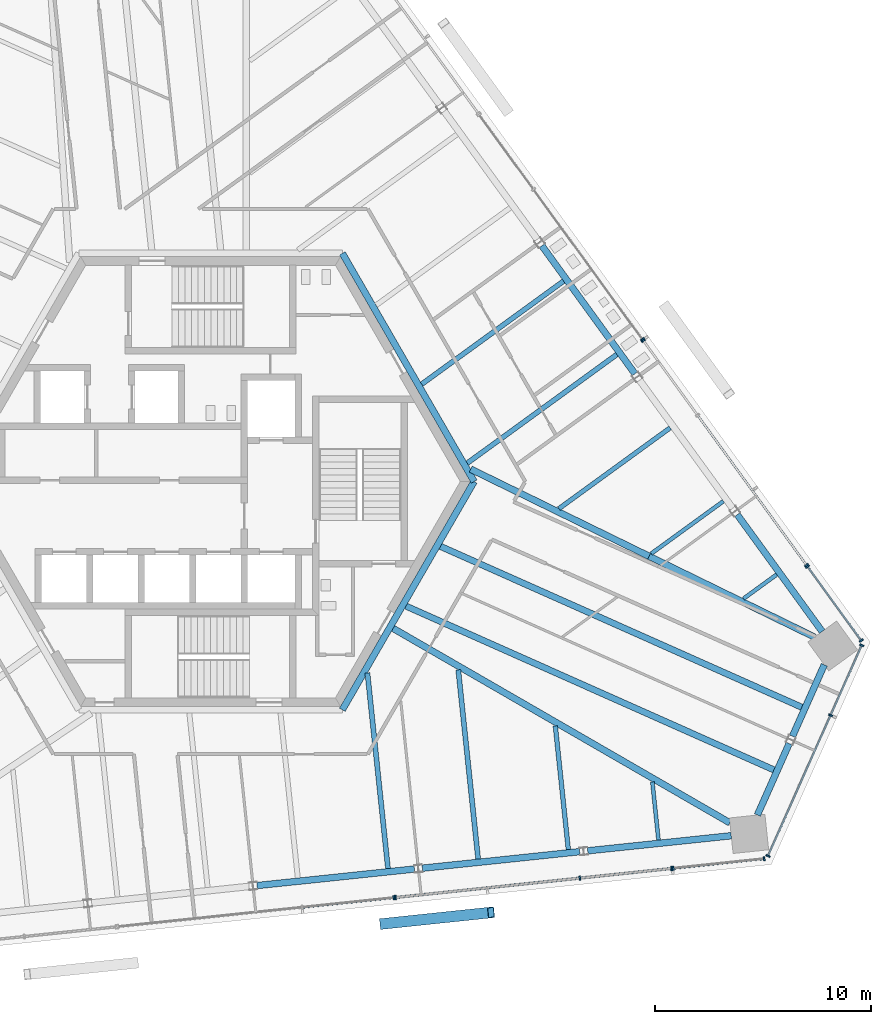
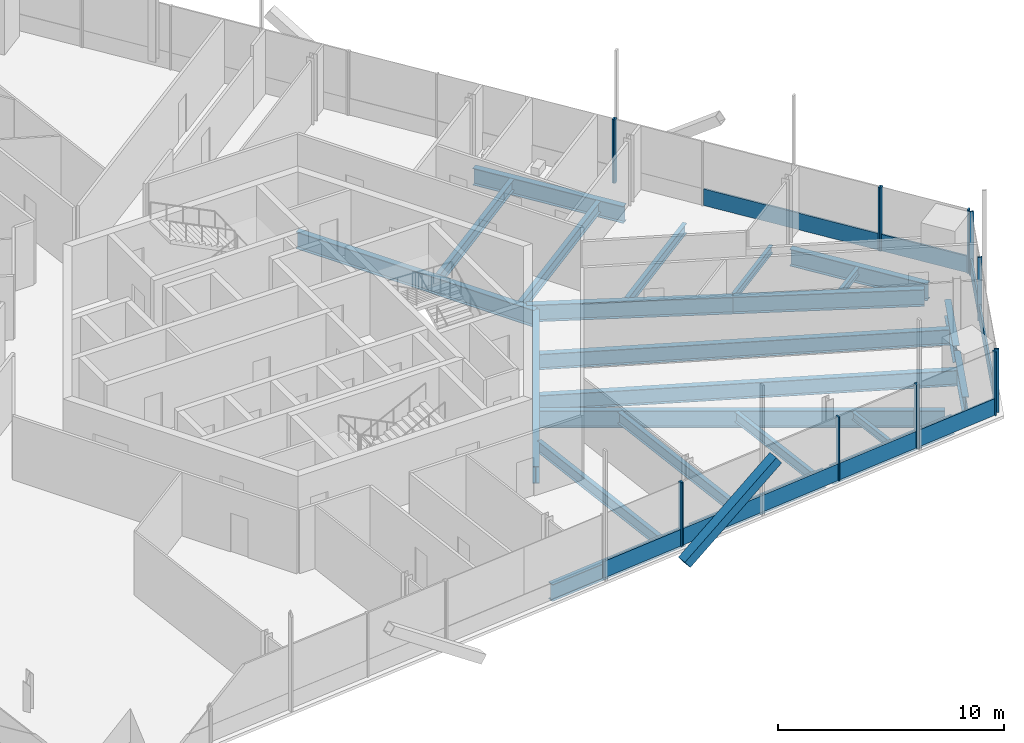
# One storey, part 6 of 21: 23 beams, 23 members, 7 elements without a shape of their own.
"""IFC4 building model written with IfcOpenShell, lengths in metres."""

from ifc_helpers import new_model, si_unit, direction, frame, origin, origin_2d, place, context, subcontext, project, spatial, rectangle, hollow_rectangle, i_section, extrude, source, transform, mapped, material, material_profile, profile_set, type_object, element, aggregate, save


model = new_model("IFC4")

# Units and contexts
model_context = context("Model", 3, precision=1e-05, world=origin(), true_north=direction((0.0, 1.0)))
body_context = subcontext(model_context, "Body", "Model", "MODEL_VIEW")
ifc_project = project(units=[si_unit("LENGTHUNIT", "METRE"), si_unit("AREAUNIT", "SQUARE_METRE"), si_unit("VOLUMEUNIT", "CUBIC_METRE"), si_unit("PLANEANGLEUNIT", "RADIAN"), si_unit("MASSUNIT", "GRAM", prefix="KILO")], contexts=[model_context])

# Site, building, storey
site_placement = place(None, origin())
site = spatial("IfcSite", under=ifc_project, at=site_placement, CompositionType="ELEMENT")
building_placement = place(site_placement, origin())
building = spatial("IfcBuilding", under=site, at=building_placement, Name="Triune Harvest Tower", CompositionType="ELEMENT")
storey_placement = place(building_placement, frame((0.0, 0.0, 241.300048828125)))
storey = spatial("IfcBuildingStorey", under=building, at=storey_placement, Name="L63", CompositionType="ELEMENT", Elevation=241.300048828125)

# Beams
ifc_material_1 = material(Name="Steel ASTM A992 Gr 50", Category="steel")
ifc_material_profile_1 = material_profile(ifc_material_1, i_section(OverallWidth=0.3046875, OverallDepth=0.914306640625, WebThickness=0.0166015625, FlangeThickness=0.02587890625, at=origin_2d()), Name="W36x160")
ifc_profile_set_1 = profile_set([ifc_material_profile_1], Name="Steel ASTM A992 Gr 50")
beam_type_1 = type_object("IfcBeamType", Name="CG-1 Core ring girder W36x160", PredefinedType="BEAM", material=ifc_profile_set_1)
shared_shape_1 = source(origin(), body_context, "Body", "SweptSolid", [
    extrude(i_section(OverallWidth=0.3046875, OverallDepth=0.914306640625, WebThickness=0.0166015625, FlangeThickness=0.02587890625, at=origin_2d()), origin(), (0.0, 0.0, 1.0), 12.176025390625),
])
for number, where, z_axis, x_axis, name in (
    (1, (12.176025390625, 0.0, -0.6171875), (-0.5000099932, 0.866019634131, 0.0), (-0.866019634131, -0.5000099932, 0.0), "beam/L63/CG1"),
    (2, (6.087890625, -10.544677734375, -0.6171875), (0.5000099932, 0.866019634131, 0.0), (-0.866019634131, 0.5000099932, 0.0), "beam/L63/CG6"),
):
    element("IfcBeam", number, at=place(storey_placement, frame(where, z_axis=z_axis, x_axis=x_axis)), inside=storey, type_object=beam_type_1, Name=name, PredefinedType="BEAM", context=body_context, shape_type="MappedRepresentation", body=[
        mapped(shared_shape_1, transform((0.0, 0.0, 0.0), scale=1.0)),
    ])
ifc_material_2 = material(Name="Steel ASTM A992 Gr 50", Category="steel")
ifc_material_profile_2 = material_profile(ifc_material_2, i_section(OverallWidth=0.3046875, OverallDepth=0.914306640625, WebThickness=0.0166015625, FlangeThickness=0.02587890625, at=origin_2d()), Name="W36x160")
ifc_profile_set_2 = profile_set([ifc_material_profile_2], Name="Steel ASTM A992 Gr 50")
beam_type_2 = type_object("IfcBeamType", Name="HG-3 Hip girder W36x160", PredefinedType="BEAM", material=ifc_profile_set_2)
shared_shape_2 = source(origin(), body_context, "Body", "SweptSolid", [
    extrude(i_section(OverallWidth=0.3046875, OverallDepth=0.914306640625, WebThickness=0.0166015625, FlangeThickness=0.02587890625, at=origin_2d()), origin(), (0.0, 0.0, 1.0), 9.168212890625),
])
beam_1_placement = place(storey_placement, frame((20.2587890625, -3.451171875, -0.6171875), z_axis=(-0.898521846145, 0.438928800605, 0.0), x_axis=(-0.438928800605, -0.898521846145, 0.0)))
element("IfcBeam", 3, at=beam_1_placement, inside=storey, type_object=beam_type_2, Name="beam/L63/HG2", PredefinedType="BEAM", context=body_context, shape_type="MappedRepresentation", body=[
    mapped(shared_shape_2, transform((0.0, 0.0, 0.0), scale=1.0)),
])
ifc_material_3 = material(Name="Steel ASTM A992 Gr 50", Category="steel")
ifc_material_profile_3 = material_profile(ifc_material_3, i_section(OverallWidth=0.3046875, OverallDepth=0.914306640625, WebThickness=0.0166015625, FlangeThickness=0.02587890625, at=origin_2d()), Name="W36x160")
ifc_profile_set_3 = profile_set([ifc_material_profile_3], Name="Steel ASTM A992 Gr 50")
beam_type_3 = type_object("IfcBeamType", Name="SB-1 Spandrel beam W36x160", PredefinedType="SPANDREL", material=ifc_profile_set_3)
shared_shape_3 = source(origin(), body_context, "Body", "SweptSolid", [
    extrude(i_section(OverallWidth=0.3046875, OverallDepth=0.914306640625, WebThickness=0.0166015625, FlangeThickness=0.02587890625, at=origin_2d()), origin(), (0.0, 0.0, 1.0), 6.67041015625),
])
for number, where, z_axis, x_axis, name in (
    (4, (28.256591796875, -6.927734375, -0.6171875), (-0.587797324645, 0.80900822316, 0.0), (-0.80900822316, -0.587797324645, 0.0), "beam/L63/SB1"),
    (5, (17.421630859375, -17.060302734375, -0.6171875), (0.994521485501, 0.104532362822, 0.0), (-0.104532362822, 0.994521485501, 0.0), "beam/L63/SB22"),
):
    element("IfcBeam", number, at=place(storey_placement, frame(where, z_axis=z_axis, x_axis=x_axis)), inside=storey, type_object=beam_type_3, Name=name, PredefinedType="SPANDREL", context=body_context, shape_type="MappedRepresentation", body=[
        mapped(shared_shape_3, transform((0.0, 0.0, 0.0), scale=1.0)),
    ])
shared_shape_4 = source(origin(), body_context, "Body", "SweptSolid", [
    extrude(i_section(OverallWidth=0.3046875, OverallDepth=0.914306640625, WebThickness=0.0166015625, FlangeThickness=0.02587890625, at=origin_2d()), origin(), (0.0, 0.0, 1.0), 7.31103515625),
])
for number, where, z_axis, x_axis, name in (
    (6, (19.60546875, 4.9794921875, -0.6171875), (-0.587786436325, 0.809016134124, 0.0), (-0.809016134124, -0.587786436325, 0.0), "beam/L63/SB3"),
    (7, (9.784423828125, -17.863037109375, -0.6171875), (0.994522639393, 0.104521384101, 0.0), (-0.104521384101, 0.994522639393, 0.0), "beam/L63/SB21"),
):
    element("IfcBeam", number, at=place(storey_placement, frame(where, z_axis=z_axis, x_axis=x_axis)), inside=storey, type_object=beam_type_3, Name=name, PredefinedType="SPANDREL", context=body_context, shape_type="MappedRepresentation", body=[
        mapped(shared_shape_4, transform((0.0, 0.0, 0.0), scale=1.0)),
    ])
shared_shape_5 = source(origin(), body_context, "Body", "SweptSolid", [
    extrude(i_section(OverallWidth=0.3046875, OverallDepth=0.914306640625, WebThickness=0.0166015625, FlangeThickness=0.02587890625, at=origin_2d()), origin(), (0.0, 0.0, 1.0), 3.614990234375),
])
beam_2_placement = place(storey_placement, frame((26.883544921875, -11.767822265625, -0.6171875), z_axis=(0.406758712736, 0.913535631277, 0.0), x_axis=(-0.913535631277, 0.406758712736, 0.0)))
element("IfcBeam", 8, at=beam_2_placement, inside=storey, type_object=beam_type_3, Name="beam/L63/SB24", PredefinedType="SPANDREL", context=body_context, shape_type="MappedRepresentation", body=[
    mapped(shared_shape_5, transform((0.0, 0.0, 0.0), scale=1.0)),
])
shared_shape_6 = source(origin(), body_context, "Body", "SweptSolid", [
    extrude(i_section(OverallWidth=0.3046875, OverallDepth=0.914306640625, WebThickness=0.0166015625, FlangeThickness=0.02587890625, at=origin_2d()), origin(), (0.0, 0.0, 1.0), 7.311279296875),
])
beam_3_placement = place(storey_placement, frame((2.14697265625, -18.665771484375, -0.6171875), z_axis=(0.994523004189, 0.104517913008, 0.0), x_axis=(-0.104517913008, 0.994523004189, 0.0)))
element("IfcBeam", 9, at=beam_3_placement, inside=storey, type_object=beam_type_3, Name="beam/L63/SB20", PredefinedType="SPANDREL", context=body_context, shape_type="MappedRepresentation", body=[
    mapped(shared_shape_6, transform((0.0, 0.0, 0.0), scale=1.0)),
])
shared_shape_7 = source(origin(), body_context, "Body", "SweptSolid", [
    extrude(i_section(OverallWidth=0.3046875, OverallDepth=0.914306640625, WebThickness=0.0166015625, FlangeThickness=0.02587890625, at=origin_2d()), origin(), (0.0, 0.0, 1.0), 3.61474609375),
])
beam_4_placement = place(storey_placement, frame((25.263427734375, -15.406494140625, -0.6171875), z_axis=(0.406783809082, 0.913524456525, 0.0), x_axis=(-0.913524456525, 0.406783809082, 0.0)))
element("IfcBeam", 10, at=beam_4_placement, inside=storey, type_object=beam_type_3, Name="beam/L63/SB23", PredefinedType="SPANDREL", context=body_context, shape_type="MappedRepresentation", body=[
    mapped(shared_shape_7, transform((0.0, 0.0, 0.0), scale=1.0)),
])
shared_shape_8 = source(origin(), body_context, "Body", "SweptSolid", [
    extrude(i_section(OverallWidth=0.3046875, OverallDepth=0.914306640625, WebThickness=0.0166015625, FlangeThickness=0.02587890625, at=origin_2d()), origin(), (0.0, 0.0, 1.0), 8.506591796875),
])
beam_5_placement = place(storey_placement, frame((27.902099609375, -7.18505859375, -0.6171875), z_axis=(-0.898516187924, 0.43894038324, 0.0), x_axis=(-0.43894038324, -0.898516187924, 0.0)))
element("IfcBeam", 11, at=beam_5_placement, inside=storey, type_object=beam_type_2, Name="beam/L63/HG1", PredefinedType="BEAM", context=body_context, shape_type="MappedRepresentation", body=[
    mapped(shared_shape_8, transform((0.0, 0.0, 0.0), scale=1.0)),
])
shared_shape_9 = source(origin(), body_context, "Body", "SweptSolid", [
    extrude(i_section(OverallWidth=0.3046875, OverallDepth=0.914306640625, WebThickness=0.0166015625, FlangeThickness=0.02587890625, at=origin_2d()), origin(), (0.0, 0.0, 1.0), 17.96484375),
])
beam_6_placement = place(storey_placement, frame((23.992919921875, -15.766845703125, -0.6171875), z_axis=(-0.866026717539, 0.499997724503, 0.0), x_axis=(-0.499997724503, -0.866026717539, 0.0)))
element("IfcBeam", 12, at=beam_6_placement, inside=storey, type_object=beam_type_2, Name="beam/L63/HG10", PredefinedType="BEAM", context=body_context, shape_type="MappedRepresentation", body=[
    mapped(shared_shape_9, transform((0.0, 0.0, 0.0), scale=1.0)),
])
ifc_material_4 = material(Name="Steel ASTM A992 Gr 50", Category="steel")
ifc_material_profile_4 = material_profile(ifc_material_4, i_section(OverallWidth=0.180908203125, OverallDepth=0.41650390625, WebThickness=0.010986328125, FlangeThickness=0.01806640625, at=origin_2d()), Name="W16x57")
ifc_profile_set_4 = profile_set([ifc_material_profile_4], Name="Steel ASTM A992 Gr 50")
beam_type_4 = type_object("IfcBeamType", Name="JT-1 Floor joist W16x57", PredefinedType="JOIST", material=ifc_profile_set_4)
shared_shape_10 = source(origin(), body_context, "Body", "SweptSolid", [
    extrude(i_section(OverallWidth=0.180908203125, OverallDepth=0.41650390625, WebThickness=0.010986328125, FlangeThickness=0.01806640625, at=origin_2d()), origin(), (0.0, 0.0, 1.0), 1.89892578125),
])
beam_7_placement = place(storey_placement, frame((26.156005859375, -4.2958984375, -0.368408203125), z_axis=(-0.808980650343, -0.587835272309, 0.0), x_axis=(0.587835272309, -0.808980650343, 0.0)))
element("IfcBeam", 13, at=beam_7_placement, inside=storey, type_object=beam_type_4, Name="beam/L63/JT1", PredefinedType="JOIST", context=body_context, shape_type="MappedRepresentation", body=[
    mapped(shared_shape_10, transform((0.0, 0.0, 0.0), scale=1.0)),
])
shared_shape_11 = source(origin(), body_context, "Body", "SweptSolid", [
    extrude(i_section(OverallWidth=0.180908203125, OverallDepth=0.41650390625, WebThickness=0.010986328125, FlangeThickness=0.01806640625, at=origin_2d()), origin(), (0.0, 0.0, 1.0), 4.122802734375),
])
beam_8_placement = place(storey_placement, frame((23.69384765625, -0.906982421875, -0.368408203125), z_axis=(-0.809017670691, -0.587784321423, 0.0), x_axis=(0.587784321423, -0.809017670691, 0.0)))
element("IfcBeam", 14, at=beam_8_placement, inside=storey, type_object=beam_type_4, Name="beam/L63/JT2", PredefinedType="JOIST", context=body_context, shape_type="MappedRepresentation", body=[
    mapped(shared_shape_11, transform((0.0, 0.0, 0.0), scale=1.0)),
])
ifc_material_5 = material(Name="Steel ASTM A992 Gr 50", Category="steel")
ifc_material_profile_5 = material_profile(ifc_material_5, i_section(OverallWidth=0.2099609375, OverallDepth=0.535888671875, WebThickness=0.010986328125, FlangeThickness=0.017333984375, at=origin_2d()), Name="W21x68")
ifc_profile_set_5 = profile_set([ifc_material_profile_5], Name="Steel ASTM A992 Gr 50")
beam_type_5 = type_object("IfcBeamType", Name="JT-2 Floor joist W21x68", PredefinedType="JOIST", material=ifc_profile_set_5)
shared_shape_12 = source(origin(), body_context, "Body", "SweptSolid", [
    extrude(i_section(OverallWidth=0.2099609375, OverallDepth=0.535888671875, WebThickness=0.010986328125, FlangeThickness=0.017333984375, at=origin_2d()), origin(), (0.0, 0.0, 1.0), 6.346435546875),
])
beam_9_placement = place(storey_placement, frame((21.231689453125, 2.481689453125, -0.427978515625), z_axis=(-0.809002165091, -0.58780566251, 0.0), x_axis=(0.58780566251, -0.809002165091, 0.0)))
element("IfcBeam", 15, at=beam_9_placement, inside=storey, type_object=beam_type_5, Name="beam/L63/JT3", PredefinedType="JOIST", context=body_context, shape_type="MappedRepresentation", body=[
    mapped(shared_shape_12, transform((0.0, 0.0, 0.0), scale=1.0)),
])
ifc_material_6 = material(Name="Steel ASTM A992 Gr 50", Category="steel")
ifc_material_profile_6 = material_profile(ifc_material_6, i_section(OverallWidth=0.22900390625, OverallDepth=0.612060546875, WebThickness=0.011962890625, FlangeThickness=0.01953125, at=origin_2d()), Name="W24x84")
ifc_profile_set_6 = profile_set([ifc_material_profile_6], Name="Steel ASTM A992 Gr 50")
beam_type_6 = type_object("IfcBeamType", Name="JT-3 Floor joist W24x84", PredefinedType="JOIST", material=ifc_profile_set_6)
shared_shape_13 = source(origin(), body_context, "Body", "SweptSolid", [
    extrude(i_section(OverallWidth=0.22900390625, OverallDepth=0.612060546875, WebThickness=0.011962890625, FlangeThickness=0.01953125, at=origin_2d()), origin(), (0.0, 0.0, 1.0), 8.540283203125),
])
beam_10_placement = place(storey_placement, frame((18.769775390625, 5.87060546875, -0.466064453125), z_axis=(-0.809019081634, -0.587782379416, 0.0), x_axis=(0.587782379416, -0.809019081634, 0.0)))
element("IfcBeam", 16, at=beam_10_placement, inside=storey, type_object=beam_type_6, Name="beam/L63/JT4", PredefinedType="JOIST", context=body_context, shape_type="MappedRepresentation", body=[
    mapped(shared_shape_13, transform((0.0, 0.0, 0.0), scale=1.0)),
])
shared_shape_14 = source(origin(), body_context, "Body", "SweptSolid", [
    extrude(i_section(OverallWidth=0.22900390625, OverallDepth=0.612060546875, WebThickness=0.011962890625, FlangeThickness=0.01953125, at=origin_2d()), origin(), (0.0, 0.0, 1.0), 8.099609375),
])
beam_11_placement = place(storey_placement, frame((16.3076171875, 9.25927734375, -0.466064453125), z_axis=(-0.809022748574, -0.587777332235, 0.0), x_axis=(0.587777332235, -0.809022748574, 0.0)))
element("IfcBeam", 17, at=beam_11_placement, inside=storey, type_object=beam_type_6, Name="beam/L63/JT5", PredefinedType="JOIST", context=body_context, shape_type="MappedRepresentation", body=[
    mapped(shared_shape_14, transform((0.0, 0.0, 0.0), scale=1.0)),
])
shared_shape_15 = source(origin(), body_context, "Body", "SweptSolid", [
    extrude(i_section(OverallWidth=0.22900390625, OverallDepth=0.612060546875, WebThickness=0.011962890625, FlangeThickness=0.01953125, at=origin_2d()), origin(), (0.0, 0.0, 1.0), 9.084716796875),
])
beam_12_placement = place(storey_placement, frame((8.19677734375, -17.876708984375, -0.466064453125), z_axis=(-0.104539296445, 0.994520756696, 0.0), x_axis=(-0.994520756696, -0.104539296445, 0.0)))
element("IfcBeam", 18, at=beam_12_placement, inside=storey, type_object=beam_type_6, Name="beam/L63/JT31", PredefinedType="JOIST", context=body_context, shape_type="MappedRepresentation", body=[
    mapped(shared_shape_15, transform((0.0, 0.0, 0.0), scale=1.0)),
])
shared_shape_16 = source(origin(), body_context, "Body", "SweptSolid", [
    extrude(i_section(OverallWidth=0.2099609375, OverallDepth=0.535888671875, WebThickness=0.010986328125, FlangeThickness=0.017333984375, at=origin_2d()), origin(), (0.0, 0.0, 1.0), 5.745849609375),
])
beam_13_placement = place(storey_placement, frame((16.5283203125, -17.0009765625, -0.427978515625), z_axis=(-0.104525532782, 0.99452220337, 0.0), x_axis=(-0.99452220337, -0.104525532782, 0.0)))
element("IfcBeam", 19, at=beam_13_placement, inside=storey, type_object=beam_type_5, Name="beam/L63/JT33", PredefinedType="JOIST", context=body_context, shape_type="MappedRepresentation", body=[
    mapped(shared_shape_16, transform((0.0, 0.0, 0.0), scale=1.0)),
])
shared_shape_17 = source(origin(), body_context, "Body", "SweptSolid", [
    extrude(i_section(OverallWidth=0.180908203125, OverallDepth=0.41650390625, WebThickness=0.010986328125, FlangeThickness=0.01806640625, at=origin_2d()), origin(), (0.0, 0.0, 1.0), 2.70263671875),
])
beam_14_placement = place(storey_placement, frame((20.694091796875, -16.56298828125, -0.368408203125), z_axis=(-0.104520196043, 0.994522764254, 0.0), x_axis=(-0.994522764254, -0.104520196043, 0.0)))
element("IfcBeam", 20, at=beam_14_placement, inside=storey, type_object=beam_type_4, Name="beam/L63/JT34", PredefinedType="JOIST", context=body_context, shape_type="MappedRepresentation", body=[
    mapped(shared_shape_17, transform((0.0, 0.0, 0.0), scale=1.0)),
])
ifc_material_7 = material(Name="Steel ASTM A992 Gr 50", Category="steel")
ifc_material_profile_7 = material_profile(ifc_material_7, i_section(OverallWidth=0.2919921875, OverallDepth=0.8408203125, WebThickness=0.0146484375, FlangeThickness=0.021728515625, at=origin_2d()), Name="W33x130")
ifc_profile_set_7 = profile_set([ifc_material_profile_7], Name="Steel ASTM A992 Gr 50")
beam_type_7 = type_object("IfcBeamType", Name="JT-6 Floor joist W33x130", PredefinedType="JOIST", material=ifc_profile_set_7)
shared_shape_18 = source(origin(), body_context, "Body", "SweptSolid", [
    extrude(i_section(OverallWidth=0.2919921875, OverallDepth=0.8408203125, WebThickness=0.0146484375, FlangeThickness=0.021728515625, at=origin_2d()), origin(), (0.0, 0.0, 1.0), 18.60400390625),
])
beam_15_placement = place(storey_placement, frame((26.025390625, -13.32080078125, -0.58056640625), z_axis=(-0.913546187597, 0.406735003568, 0.0), x_axis=(-0.406735003568, -0.913546187597, 0.0)))
element("IfcBeam", 21, at=beam_15_placement, inside=storey, type_object=beam_type_7, Name="beam/L63/JT35", PredefinedType="JOIST", context=body_context, shape_type="MappedRepresentation", body=[
    mapped(shared_shape_18, transform((0.0, 0.0, 0.0), scale=1.0)),
])
shared_shape_19 = source(origin(), body_context, "Body", "SweptSolid", [
    extrude(i_section(OverallWidth=0.22900390625, OverallDepth=0.612060546875, WebThickness=0.011962890625, FlangeThickness=0.01953125, at=origin_2d()), origin(), (0.0, 0.0, 1.0), 8.7890625),
])
beam_16_placement = place(storey_placement, frame((12.362548828125, -17.438720703125, -0.466064453125), z_axis=(-0.104527173764, 0.9945220309, 0.0), x_axis=(-0.9945220309, -0.104527173764, 0.0)))
element("IfcBeam", 22, at=beam_16_placement, inside=storey, type_object=beam_type_6, Name="beam/L63/JT32", PredefinedType="JOIST", context=body_context, shape_type="MappedRepresentation", body=[
    mapped(shared_shape_19, transform((0.0, 0.0, 0.0), scale=1.0)),
])
shared_shape_20 = source(origin(), body_context, "Body", "SweptSolid", [
    extrude(i_section(OverallWidth=0.2919921875, OverallDepth=0.8408203125, WebThickness=0.0146484375, FlangeThickness=0.021728515625, at=origin_2d()), origin(), (0.0, 0.0, 1.0), 18.270751953125),
])
beam_17_placement = place(storey_placement, frame((27.313720703125, -10.427001953125, -0.58056640625), z_axis=(-0.913545207047, 0.406737205922, 0.0), x_axis=(-0.406737205922, -0.913545207047, 0.0)))
element("IfcBeam", 23, at=beam_17_placement, inside=storey, type_object=beam_type_7, Name="beam/L63/JT36", PredefinedType="JOIST", context=body_context, shape_type="MappedRepresentation", body=[
    mapped(shared_shape_20, transform((0.0, 0.0, 0.0), scale=1.0)),
])

# Member
ifc_material_8 = material(Name="Steel ASTM A572 Gr 50", Category="steel")
ifc_material_profile_8 = material_profile(ifc_material_8, hollow_rectangle(XDim=0.5, YDim=0.5, WallThickness=0.030029296875, at=origin_2d()), Name="Box 500x500x30")
ifc_profile_set_8 = profile_set([ifc_material_profile_8], Name="Steel ASTM A572 Gr 50")
member_type_1 = type_object("IfcMemberType", Name="BR-3 Brace Box 500x500x30", PredefinedType="BRACE", material=ifc_profile_set_8)
shared_shape_21 = source(origin(), body_context, "Body", "SweptSolid", [
    extrude(hollow_rectangle(XDim=0.5, YDim=0.5, WallThickness=0.030029296875, at=origin_2d()), origin(), (0.0, 0.0, 1.0), 6.1708984375),
])
member_1_placement = place(storey_placement, frame((7.973388671875, -20.431884765625, 0.0), z_axis=(0.807763534376, 0.08490280378, 0.583360597266), x_axis=(-0.104532646515, 0.994521455682, 0.0)))
element("IfcMember", 24, at=member_1_placement, inside=storey, type_object=member_type_1, Name="brace/B6-F5/d1/7", PredefinedType="BRACE", context=body_context, shape_type="MappedRepresentation", body=[
    mapped(shared_shape_21, transform((0.0, 0.0, 0.0), scale=1.0)),
])

# Curtain wall, members
ifc_material_9 = material(Name="Aluminium bronze anodised", Category="aluminium")
curtain_wall_type_1 = type_object("IfcCurtainWallType", Name="CW-1 Tower stick curtain wall", PredefinedType="NOTDEFINED", material=ifc_material_9)
curtain_wall_1_placement = place(storey_placement, origin())
curtain_wall_1 = element("IfcCurtainWall", 25, at=curtain_wall_1_placement, inside=storey, type_object=curtain_wall_type_1, Name="CW-1 B6-F1 L63 run 1")
ifc_material_10 = material(Name="Aluminium bronze anodised", Category="aluminium")
ifc_material_profile_9 = material_profile(ifc_material_10, rectangle(XDim=0.199951171875, YDim=0.074951171875, at=origin_2d()), Name="MU-1 mullion 75 x 200")
ifc_profile_set_9 = profile_set([ifc_material_profile_9], Name="Aluminium bronze anodised")
member_type_2 = type_object("IfcMemberType", Name="MU-1 mullion 75 x 200", PredefinedType="MULLION", material=ifc_profile_set_9)
shared_shape_22 = source(origin(), body_context, "Body", "SweptSolid", [
    extrude(rectangle(XDim=0.199951171875, YDim=0.074951171875, at=origin_2d()), origin(), (0.0, 0.0, 1.0), 3.43994140625),
])
member_2_placement = place(storey_placement, frame((30.062255859375, -7.34521484375, 0.0), z_axis=(0.0, 0.0, 1.0), x_axis=(-0.809015722642, -0.587787002678, 0.0)))
member_2 = element("IfcMember", 26, at=member_2_placement, type_object=member_type_2, Name="CW-1 mullion B6-F1 1.1", PredefinedType="MULLION", context=body_context, shape_type="MappedRepresentation", body=[
    mapped(shared_shape_22, transform((0.0, 0.0, 0.0), scale=1.0)),
])
member_3_placement = place(storey_placement, frame((27.578857421875, -3.92724609375, 0.0), z_axis=(0.0, 0.0, 1.0), x_axis=(-0.809015722642, -0.587787002678, 0.0)))
member_3 = element("IfcMember", 27, at=member_3_placement, type_object=member_type_2, Name="CW-1 mullion B6-F1 1.2", PredefinedType="MULLION", context=body_context, shape_type="MappedRepresentation", body=[
    mapped(shared_shape_22, transform((0.0, 0.0, 0.0), scale=1.0)),
])

ifc_material_11 = material(Name="Aluminium bronze anodised", Category="aluminium")
curtain_wall_type_2 = type_object("IfcCurtainWallType", Name="CW-7 Tower stick curtain wall with insulated spandrel infill", PredefinedType="NOTDEFINED", material=ifc_material_11)
curtain_wall_2_placement = place(storey_placement, origin())
curtain_wall_2 = element("IfcCurtainWall", 28, at=curtain_wall_2_placement, inside=storey, type_object=curtain_wall_type_2, Name="CW-7 B6-F1 L63 run 1001")
member_4_placement = place(storey_placement, frame((27.534912109375, -3.866455078125, 0.0), z_axis=(0.0, 0.0, 1.0), x_axis=(-0.809016568214, -0.587785838852, 0.0)))
member_4 = element("IfcMember", 29, at=member_4_placement, type_object=member_type_2, Name="CW-7 mullion B6-F1 1001.1", PredefinedType="MULLION", context=body_context, shape_type="MappedRepresentation", body=[
    mapped(shared_shape_22, transform((0.0, 0.0, 0.0), scale=1.0)),
])
member_5_placement = place(storey_placement, frame((19.996337890625, 6.50927734375, 0.0), z_axis=(0.0, 0.0, 1.0), x_axis=(-0.809016568214, -0.587785838852, 0.0)))
member_5 = element("IfcMember", 30, at=member_5_placement, type_object=member_type_2, Name="CW-7 mullion B6-F1 1001.4", PredefinedType="MULLION", context=body_context, shape_type="MappedRepresentation", body=[
    mapped(shared_shape_22, transform((0.0, 0.0, 0.0), scale=1.0)),
])

# Curtain wall, member
curtain_wall_3_placement = place(storey_placement, origin())
curtain_wall_3 = element("IfcCurtainWall", 31, at=curtain_wall_3_placement, inside=storey, type_object=curtain_wall_type_1, Name="CW-1 B6-F1 L63 run 2001")
member_6_placement = place(storey_placement, frame((19.952392578125, 6.56982421875, 0.0), z_axis=(0.0, 0.0, 1.0), x_axis=(-0.809017576253, -0.587784451405, 0.0)))
member_6 = element("IfcMember", 32, at=member_6_placement, type_object=member_type_2, Name="CW-1 mullion B6-F1 2001.1", PredefinedType="MULLION", context=body_context, shape_type="MappedRepresentation", body=[
    mapped(shared_shape_22, transform((0.0, 0.0, 0.0), scale=1.0)),
])
aggregate(curtain_wall_3, [member_6])

curtain_wall_4_placement = place(storey_placement, origin())
curtain_wall_4 = element("IfcCurtainWall", 33, at=curtain_wall_4_placement, inside=storey, type_object=curtain_wall_type_1, Name="CW-1 B6-F5 L63 run 2001")
member_7_placement = place(storey_placement, frame((8.46826171875, -19.2236328125, 0.0), z_axis=(0.0, 0.0, 1.0), x_axis=(-0.104535075084, 0.994521200416, 0.0)))
member_7 = element("IfcMember", 34, at=member_7_placement, type_object=member_type_2, Name="CW-1 mullion B6-F5 2001.4", PredefinedType="MULLION", context=body_context, shape_type="MappedRepresentation", body=[
    mapped(shared_shape_22, transform((0.0, 0.0, 0.0), scale=1.0)),
])

# Curtain wall, members
curtain_wall_5_placement = place(storey_placement, origin())
curtain_wall_5 = element("IfcCurtainWall", 35, at=curtain_wall_5_placement, inside=storey, type_object=curtain_wall_type_2, Name="CW-7 B6-F5 L63 run 3001")
member_8_placement = place(storey_placement, frame((8.54296875, -19.215576171875, 0.0), z_axis=(0.0, 0.0, 1.0), x_axis=(-0.104526601986, 0.994522090995, 0.0)))
member_8 = element("IfcMember", 36, at=member_8_placement, type_object=member_type_2, Name="CW-7 mullion B6-F5 3001.1", PredefinedType="MULLION", context=body_context, shape_type="MappedRepresentation", body=[
    mapped(shared_shape_22, transform((0.0, 0.0, 0.0), scale=1.0)),
])
member_9_placement = place(storey_placement, frame((17.05859375, -18.320556640625, 0.0), z_axis=(0.0, 0.0, 1.0), x_axis=(-0.104526601986, 0.994522090995, 0.0)))
member_9 = element("IfcMember", 37, at=member_9_placement, type_object=member_type_2, Name="CW-7 mullion B6-F5 3001.3", PredefinedType="MULLION", context=body_context, shape_type="MappedRepresentation", body=[
    mapped(shared_shape_22, transform((0.0, 0.0, 0.0), scale=1.0)),
])
member_10_placement = place(storey_placement, frame((21.297607421875, -17.875, 0.0), z_axis=(0.0, 0.0, 1.0), x_axis=(-0.104526601986, 0.994522090995, 0.0)))
member_10 = element("IfcMember", 38, at=member_10_placement, type_object=member_type_2, Name="CW-7 mullion B6-F5 3001.4", PredefinedType="MULLION", context=body_context, shape_type="MappedRepresentation", body=[
    mapped(shared_shape_22, transform((0.0, 0.0, 0.0), scale=1.0)),
])

curtain_wall_6_placement = place(storey_placement, origin())
curtain_wall_6 = element("IfcCurtainWall", 39, at=curtain_wall_6_placement, inside=storey, type_object=curtain_wall_type_1, Name="CW-1 B6-F5 L63 run 4001")
member_11_placement = place(storey_placement, frame((21.372314453125, -17.8671875, 0.0), z_axis=(0.0, 0.0, 1.0), x_axis=(-0.104531863081, 0.994521538028, 0.0)))
member_11 = element("IfcMember", 40, at=member_11_placement, type_object=member_type_2, Name="CW-1 mullion B6-F5 4001.1", PredefinedType="MULLION", context=body_context, shape_type="MappedRepresentation", body=[
    mapped(shared_shape_22, transform((0.0, 0.0, 0.0), scale=1.0)),
])
member_12_placement = place(storey_placement, frame((25.57421875, -17.425537109375, 0.0), z_axis=(0.0, 0.0, 1.0), x_axis=(-0.104531863081, 0.994521538028, 0.0)))
member_12 = element("IfcMember", 41, at=member_12_placement, type_object=member_type_2, Name="CW-1 mullion B6-F5 4001.2", PredefinedType="MULLION", context=body_context, shape_type="MappedRepresentation", body=[
    mapped(shared_shape_22, transform((0.0, 0.0, 0.0), scale=1.0)),
])

curtain_wall_7_placement = place(storey_placement, origin())
curtain_wall_7 = element("IfcCurtainWall", 42, at=curtain_wall_7_placement, inside=storey, type_object=curtain_wall_type_1, Name="CW-1 B6-F6 L63 run 1")
member_13_placement = place(storey_placement, frame((25.7529296875, -17.2958984375, 0.0), z_axis=(0.0, 0.0, 1.0), x_axis=(-0.913542531121, 0.406743216086, 0.0)))
member_13 = element("IfcMember", 43, at=member_13_placement, type_object=member_type_2, Name="CW-1 mullion B6-F6 1.1", PredefinedType="MULLION", context=body_context, shape_type="MappedRepresentation", body=[
    mapped(shared_shape_22, transform((0.0, 0.0, 0.0), scale=1.0)),
])
member_14_placement = place(storey_placement, frame((28.646240234375, -10.797119140625, 0.0), z_axis=(0.0, 0.0, 1.0), x_axis=(-0.913542531121, 0.406743216086, 0.0)))
member_14 = element("IfcMember", 44, at=member_14_placement, type_object=member_type_2, Name="CW-1 mullion B6-F6 1.3", PredefinedType="MULLION", context=body_context, shape_type="MappedRepresentation", body=[
    mapped(shared_shape_22, transform((0.0, 0.0, 0.0), scale=1.0)),
])
member_15_placement = place(storey_placement, frame((30.08544921875, -7.56494140625, 0.0), z_axis=(0.0, 0.0, 1.0), x_axis=(-0.913542531121, 0.406743216086, 0.0)))
member_15 = element("IfcMember", 45, at=member_15_placement, type_object=member_type_2, Name="CW-1 mullion B6-F6 1.4", PredefinedType="MULLION", context=body_context, shape_type="MappedRepresentation", body=[
    mapped(shared_shape_22, transform((0.0, 0.0, 0.0), scale=1.0)),
])
ifc_material_12 = material(Name="Aluminium bronze anodised", Category="aluminium")
ifc_material_profile_10 = material_profile(ifc_material_12, rectangle(XDim=0.090087890625, YDim=0.89990234375, at=origin_2d()), Name="TR-1 transom 90 x 900")
ifc_profile_set_10 = profile_set([ifc_material_profile_10], Name="Aluminium bronze anodised")
member_type_3 = type_object("IfcMemberType", Name="TR-1 transom 90 x 900", PredefinedType="USERDEFINED", material=ifc_profile_set_10)
shared_shape_23 = source(origin(), body_context, "Body", "SweptSolid", [
    extrude(rectangle(XDim=0.090087890625, YDim=0.89990234375, at=origin_2d()), origin(), (0.0, 0.0, 1.0), 7.038818359375),
])
member_16_placement = place(storey_placement, frame((25.76806640625, -17.261474609375, 0.449951171875), z_axis=(0.406753052694, 0.913538151433, 0.0), x_axis=(-0.913538151433, 0.406753052694, 0.0)))
member_16 = element("IfcMember", 46, at=member_16_placement, type_object=member_type_3, Name="CW-1 transom B6-F6 1.1", ObjectType="TRANSOM", PredefinedType="USERDEFINED", context=body_context, shape_type="MappedRepresentation", body=[
    mapped(shared_shape_23, transform((0.0, 0.0, 0.0), scale=1.0)),
])
shared_shape_24 = source(origin(), body_context, "Body", "SweptSolid", [
    extrude(rectangle(XDim=0.090087890625, YDim=0.89990234375, at=origin_2d()), origin(), (0.0, 0.0, 1.0), 3.463134765625),
])
member_17_placement = place(storey_placement, frame((28.66162109375, -10.762939453125, 0.449951171875), z_axis=(0.406694368517, 0.913564278317, 0.0), x_axis=(-0.913564278317, 0.406694368517, 0.0)))
member_17 = element("IfcMember", 47, at=member_17_placement, type_object=member_type_3, Name="CW-1 transom B6-F6 1.2", ObjectType="TRANSOM", PredefinedType="USERDEFINED", context=body_context, shape_type="MappedRepresentation", body=[
    mapped(shared_shape_24, transform((0.0, 0.0, 0.0), scale=1.0)),
])
aggregate(curtain_wall_7, [member_13, member_14, member_15, member_16, member_17])

# Member
shared_shape_25 = source(origin(), body_context, "Body", "SweptSolid", [
    extrude(rectangle(XDim=0.090087890625, YDim=0.89990234375, at=origin_2d()), origin(), (0.0, 0.0, 1.0), 8.487548828125),
])
member_18_placement = place(storey_placement, frame((27.5126953125, -3.836181640625, 0.449951171875), z_axis=(-0.587771412018, 0.809027049742, 0.0), x_axis=(-0.809027049742, -0.587771412018, 0.0)))
member_18 = element("IfcMember", 48, at=member_18_placement, type_object=member_type_3, Name="CW-7 transom B6-F1 1001.1", ObjectType="TRANSOM", PredefinedType="USERDEFINED", context=body_context, shape_type="MappedRepresentation", body=[
    mapped(shared_shape_25, transform((0.0, 0.0, 0.0), scale=1.0)),
])

aggregate(curtain_wall_2, [member_4, member_5, member_18])

member_19_placement = place(storey_placement, frame((8.580078125, -19.211669921875, 0.449951171875), z_axis=(0.994524822202, 0.104500612554, 0.0), x_axis=(-0.104500612554, 0.994524822202, 0.0)))
member_19 = element("IfcMember", 49, at=member_19_placement, type_object=member_type_3, Name="CW-7 transom B6-F5 3001.1", ObjectType="TRANSOM", PredefinedType="USERDEFINED", context=body_context, shape_type="MappedRepresentation", body=[
    mapped(shared_shape_25, transform((0.0, 0.0, 0.0), scale=1.0)),
])

shared_shape_26 = source(origin(), body_context, "Body", "SweptSolid", [
    extrude(rectangle(XDim=0.090087890625, YDim=0.89990234375, at=origin_2d()), origin(), (0.0, 0.0, 1.0), 4.1875),
])
member_20_placement = place(storey_placement, frame((4.266357421875, -19.665283203125, 0.449951171875), z_axis=(0.994521095578, 0.10453607248, 0.0), x_axis=(-0.10453607248, 0.994521095578, 0.0)))
member_20 = element("IfcMember", 50, at=member_20_placement, type_object=member_type_3, Name="CW-1 transom B6-F5 2001.2", ObjectType="TRANSOM", PredefinedType="USERDEFINED", context=body_context, shape_type="MappedRepresentation", body=[
    mapped(shared_shape_26, transform((0.0, 0.0, 0.0), scale=1.0)),
])

aggregate(curtain_wall_4, [member_7, member_20])

member_21_placement = place(storey_placement, frame((17.095947265625, -18.316650390625, 0.449951171875), z_axis=(0.994527155247, 0.104478406742, 0.0), x_axis=(-0.104478406742, 0.994527155247, 0.0)))
member_21 = element("IfcMember", 51, at=member_21_placement, type_object=member_type_3, Name="CW-7 transom B6-F5 3001.2", ObjectType="TRANSOM", PredefinedType="USERDEFINED", context=body_context, shape_type="MappedRepresentation", body=[
    mapped(shared_shape_26, transform((0.0, 0.0, 0.0), scale=1.0)),
])

aggregate(curtain_wall_5, [member_8, member_9, member_10, member_19, member_21])

shared_shape_27 = source(origin(), body_context, "Body", "SweptSolid", [
    extrude(rectangle(XDim=0.090087890625, YDim=0.89990234375, at=origin_2d()), origin(), (0.0, 0.0, 1.0), 4.14990234375),
])
member_22_placement = place(storey_placement, frame((30.040283203125, -7.31494140625, 0.449951171875), z_axis=(-0.587769355718, 0.809028543673, 0.0), x_axis=(-0.809028543673, -0.587769355718, 0.0)))
member_22 = element("IfcMember", 52, at=member_22_placement, type_object=member_type_3, Name="CW-1 transom B6-F1 1.1", ObjectType="TRANSOM", PredefinedType="USERDEFINED", context=body_context, shape_type="MappedRepresentation", body=[
    mapped(shared_shape_27, transform((0.0, 0.0, 0.0), scale=1.0)),
])

aggregate(curtain_wall_1, [member_2, member_3, member_22])

member_23_placement = place(storey_placement, frame((21.40966796875, -17.86328125, 0.449951171875), z_axis=(0.994520593237, 0.104540851475, 0.0), x_axis=(-0.104540851475, 0.994520593237, 0.0)))
member_23 = element("IfcMember", 53, at=member_23_placement, type_object=member_type_3, Name="CW-1 transom B6-F5 4001.1", ObjectType="TRANSOM", PredefinedType="USERDEFINED", context=body_context, shape_type="MappedRepresentation", body=[
    mapped(shared_shape_27, transform((0.0, 0.0, 0.0), scale=1.0)),
])

aggregate(curtain_wall_6, [member_11, member_12, member_23])

save(model, "model.ifc")
